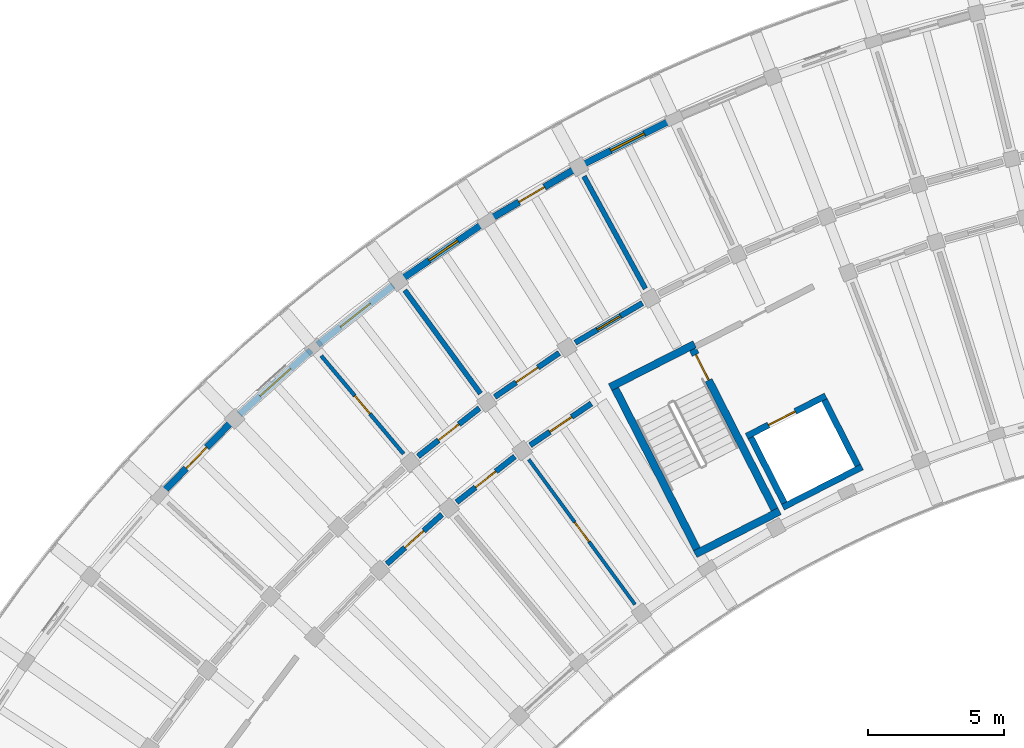
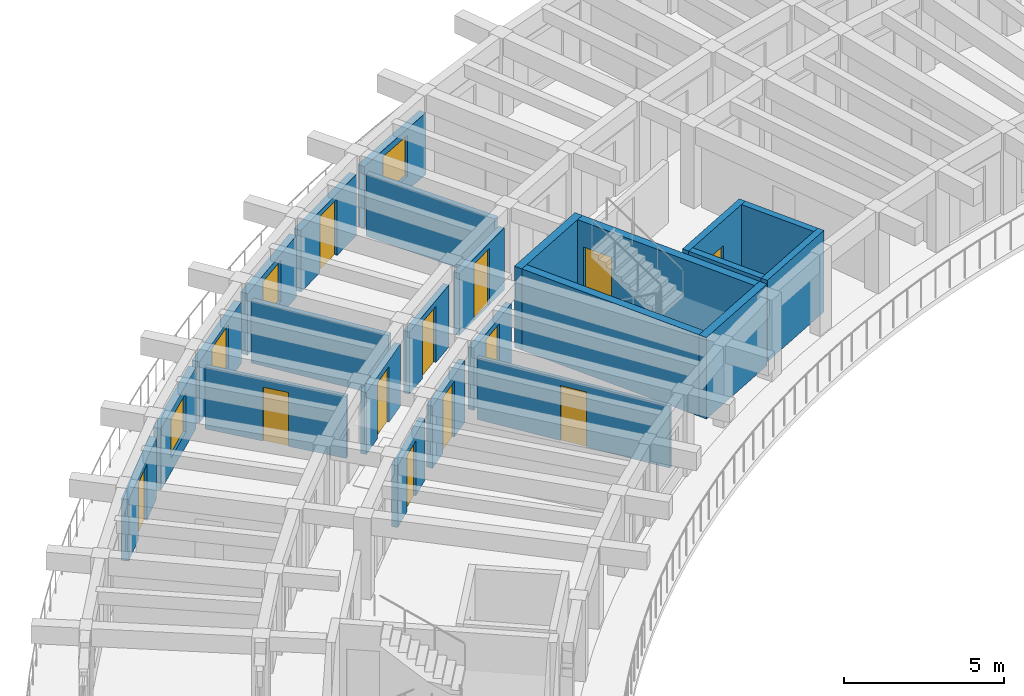
# One storey, part 48 of 81: 24 walls, 12 doors, 4 windows, 16 openings.
"""IFC4 building model written with IfcOpenShell, lengths in metres."""

from ifc_helpers import new_model, si_unit, direction, frame, frame_2d, origin, place, context, subcontext, project, spatial, rectangle, extrude, material, layer, layer_set, type_object, element, fill, save


model = new_model("IFC4")

# Units and contexts
model_context = context("Model", 3, precision=1e-05, world=origin(), true_north=direction((0.0, 1.0)))
body_context = subcontext(model_context, "Body", "Model", "MODEL_VIEW")
ifc_project = project(units=[si_unit("LENGTHUNIT", "METRE"), si_unit("AREAUNIT", "SQUARE_METRE"), si_unit("VOLUMEUNIT", "CUBIC_METRE"), si_unit("PLANEANGLEUNIT", "RADIAN"), si_unit("MASSUNIT", "GRAM", prefix="KILO")], contexts=[model_context])

# Site, building, storey
site_placement = place(None, origin())
site = spatial("IfcSite", under=ifc_project, at=site_placement, CompositionType="ELEMENT")
building_placement = place(site_placement, origin())
building = spatial("IfcBuilding", under=site, at=building_placement, Name="Tanwirah Colonnade Gardens", CompositionType="ELEMENT")
storey_placement = place(building_placement, frame((0.0, 0.0, 8.840087890625)))
storey = spatial("IfcBuildingStorey", under=building, at=storey_placement, Name="L02", CompositionType="ELEMENT", Elevation=8.840087890625)

# Wall, opening, window
ifc_material_1 = material(Name="Limestone architectural precast concrete C40/50", Category="masonry")
ifc_layer_1 = layer(ifc_material_1, 0.2451171875)
ifc_layer_set_1 = layer_set([ifc_layer_1], Name="Limestone architectural precast concrete C40/50")
wall_type_1 = type_object("IfcWallType", Name="EW-PC245", PredefinedType="SOLIDWALL", material=ifc_layer_set_1)
wall_1_placement = place(storey_placement, frame((39.794921875, 114.147216796875, 0.0), z_axis=(0.0, 0.0, 1.0), x_axis=(-0.892756700232, -0.450539092855, 0.0)))
wall_1 = element("IfcWall", 1, at=wall_1_placement, inside=storey, type_object=wall_type_1, Name="Block A L02 OUT Precast Facade Wall 5", PredefinedType="SOLIDWALL", context=body_context, shape_type="SweptSolid", body=[
    extrude(rectangle(XDim=3.520751953125, YDim=0.2451171875, at=frame_2d((1.76025390625, 0.0))), origin(), (0.0, 0.0, 1.0), 2.35498046875),
])
opening_1_placement = place(wall_1_placement, frame((1.0703125, 0.0, 0.550048828125)))
opening_1 = element("IfcOpeningElement", 2, at=opening_1_placement, cuts=wall_1, Name="Opening WIN-T18", PredefinedType="OPENING", context=body_context, shape_type="SweptSolid", body=[
    extrude(rectangle(XDim=1.3798828125, YDim=1.56005859375, at=frame_2d((0.68994140625, 0.780029296875))), frame((0.0, 0.132568359375, 0.0), z_axis=(0.0, -1.0, 0.0), x_axis=(1.0, 0.0, 0.0)), (0.0, 0.0, 1.0), 0.26513671875),
])
ifc_material_2 = material(Name="Thermally broken bronze aluminium and solar low-E double glazing", Category="aluminium")
window_type_1 = type_object("IfcWindowType", Name="WIN-T18", PartitioningType="DOUBLE_PANEL_VERTICAL", PredefinedType="WINDOW", material=ifc_material_2)
window_1_placement = place(opening_1_placement, origin())
window_1 = element("IfcWindow", 3, at=window_1_placement, inside=storey, type_object=window_type_1, Name="Facade window A-L02-OUT-05", OverallHeight=1.56005859375, OverallWidth=1.3798828125, PartitioningType="SINGLE_PANEL", PredefinedType="WINDOW", context=body_context, shape_type="SweptSolid", body=[
    extrude(rectangle(XDim=1.3798828125, YDim=1.56005859375, at=frame_2d((0.68994140625, 0.780029296875))), frame((0.0, 0.030029296875, 0.0), z_axis=(0.0, -1.0, 0.0), x_axis=(1.0, 0.0, 0.0)), (0.0, 0.0, 1.0), 0.06005859375),
])
fill(opening_1, window_1)

# Wall, opening, door
wall_2_placement = place(storey_placement, frame((36.22216796875, 112.326171875, 0.0), z_axis=(0.0, 0.0, 1.0), x_axis=(-0.861154218161, -0.50834379365, 0.0)))
wall_2 = element("IfcWall", 4, at=wall_2_placement, inside=storey, type_object=wall_type_1, Name="Block A L02 OUT Precast Facade Wall 6", PredefinedType="SOLIDWALL", context=body_context, shape_type="SweptSolid", body=[
    extrude(rectangle(XDim=3.520751953125, YDim=0.2451171875, at=frame_2d((1.76025390625, 0.0))), origin(), (0.0, 0.0, 1.0), 2.35498046875),
])
opening_2_placement = place(wall_2_placement, frame((1.22021484375, 0.0, 0.0)))
opening_2 = element("IfcOpeningElement", 5, at=opening_2_placement, cuts=wall_2, Name="Opening L02-ED010", PredefinedType="OPENING", context=body_context, shape_type="SweptSolid", body=[
    extrude(rectangle(XDim=1.080078125, YDim=2.14990234375, at=frame_2d((0.5400390625, 1.074951171875))), frame((0.0, 0.132568359375, 0.0), z_axis=(0.0, -1.0, 0.0), x_axis=(1.0, 0.0, 0.0)), (0.0, 0.0, 1.0), 0.26513671875),
])
ifc_material_3 = material(Name="Bronze aluminium glazed balcony door", Category="aluminium")
door_type_1 = type_object("IfcDoorType", Name="ED-BAL108", OperationType="NOTDEFINED", PredefinedType="DOOR", material=ifc_material_3)
door_1_placement = place(opening_2_placement, origin())
door_1 = element("IfcDoor", 6, at=door_1_placement, inside=storey, type_object=door_type_1, Name="Balcony glazed door L02-ED010", OperationType="SINGLE_SWING_LEFT", OverallHeight=2.14990234375, OverallWidth=1.080078125, PredefinedType="DOOR", context=body_context, shape_type="SweptSolid", body=[
    extrude(rectangle(XDim=1.080078125, YDim=2.14990234375, at=frame_2d((0.5400390625, 1.074951171875))), frame((0.0, 0.02490234375, 0.0), z_axis=(0.0, -1.0, 0.0), x_axis=(1.0, 0.0, 0.0)), (0.0, 0.0, 1.0), 0.050048828125),
])
fill(opening_2, door_1)

# Wall, opening, window
wall_3_placement = place(storey_placement, frame((32.92041015625, 110.36474609375, 0.0), z_axis=(0.0, 0.0, 1.0), x_axis=(-0.825745840472, -0.56404238045, 0.0)))
wall_3 = element("IfcWall", 7, at=wall_3_placement, inside=storey, type_object=wall_type_1, Name="Block A L02 OUT Precast Facade Wall 7", PredefinedType="SOLIDWALL", context=body_context, shape_type="SweptSolid", body=[
    extrude(rectangle(XDim=3.520751953125, YDim=0.2451171875, at=frame_2d((1.76025390625, 0.0))), origin(), (0.0, 0.0, 1.0), 2.35498046875),
])
opening_3_placement = place(wall_3_placement, frame((1.120361328125, 0.0, 0.550048828125)))
opening_3 = element("IfcOpeningElement", 8, at=opening_3_placement, cuts=wall_3, Name="Opening WIN-U04", PredefinedType="OPENING", context=body_context, shape_type="SweptSolid", body=[
    extrude(rectangle(XDim=1.280029296875, YDim=1.56005859375, at=frame_2d((0.64013671875, 0.780029296875))), frame((0.0, 0.132568359375, 0.0), z_axis=(0.0, -1.0, 0.0), x_axis=(1.0, 0.0, 0.0)), (0.0, 0.0, 1.0), 0.26513671875),
])
window_type_2 = type_object("IfcWindowType", Name="WIN-U04", PartitioningType="DOUBLE_PANEL_VERTICAL", PredefinedType="WINDOW", material=ifc_material_2)
window_2_placement = place(opening_3_placement, origin())
window_2 = element("IfcWindow", 9, at=window_2_placement, inside=storey, type_object=window_type_2, Name="Facade window A-L02-OUT-07", OverallHeight=1.56005859375, OverallWidth=1.280029296875, PartitioningType="SINGLE_PANEL", PredefinedType="WINDOW", context=body_context, shape_type="SweptSolid", body=[
    extrude(rectangle(XDim=1.280029296875, YDim=1.56005859375, at=frame_2d((0.64013671875, 0.780029296875))), frame((0.0, 0.030029296875, 0.0), z_axis=(0.0, -1.0, 0.0), x_axis=(1.0, 0.0, 0.0)), (0.0, 0.0, 1.0), 0.06005859375),
])
fill(opening_3, window_2)

wall_4_placement = place(storey_placement, frame((29.617919921875, 108.089599609375, 0.0), z_axis=(0.0, 0.0, 1.0), x_axis=(-0.786813798172, -0.617190446301, 0.0)))
wall_4 = element("IfcWall", 10, at=wall_4_placement, inside=storey, type_object=wall_type_1, Name="Block A L02 OUT Precast Facade Wall 8", PredefinedType="SOLIDWALL", context=body_context, shape_type="SweptSolid", body=[
    extrude(rectangle(XDim=3.5205078125, YDim=0.2451171875, at=frame_2d((1.76025390625, 0.0))), origin(), (0.0, 0.0, 1.0), 2.35498046875),
])
opening_4_placement = place(wall_4_placement, frame((1.060302734375, 0.0, 0.550048828125)))
opening_4 = element("IfcOpeningElement", 11, at=opening_4_placement, cuts=wall_4, Name="Opening WIN-U07", PredefinedType="OPENING", context=body_context, shape_type="SweptSolid", body=[
    extrude(rectangle(XDim=1.39990234375, YDim=1.635009765625, at=frame_2d((0.699951171875, 0.8173828125))), frame((0.0, 0.132568359375, 0.0), z_axis=(0.0, -1.0, 0.0), x_axis=(1.0, 0.0, 0.0)), (0.0, 0.0, 1.0), 0.26513671875),
])
window_type_3 = type_object("IfcWindowType", Name="WIN-U07", PartitioningType="DOUBLE_PANEL_VERTICAL", PredefinedType="WINDOW", material=ifc_material_2)
window_3_placement = place(opening_4_placement, origin())
window_3 = element("IfcWindow", 12, at=window_3_placement, inside=storey, type_object=window_type_3, Name="Facade window A-L02-OUT-08", OverallHeight=1.635009765625, OverallWidth=1.39990234375, PartitioningType="SINGLE_PANEL", PredefinedType="WINDOW", context=body_context, shape_type="SweptSolid", body=[
    extrude(rectangle(XDim=1.39990234375, YDim=1.635009765625, at=frame_2d((0.699951171875, 0.8173828125))), frame((0.0, 0.030029296875, 0.0), z_axis=(0.0, -1.0, 0.0), x_axis=(1.0, 0.0, 0.0)), (0.0, 0.0, 1.0), 0.06005859375),
])
fill(opening_4, window_3)

wall_5_placement = place(storey_placement, frame((26.602783203125, 105.711181640625, 0.0), z_axis=(0.0, 0.0, 1.0), x_axis=(-0.744413726571, -0.667718656092, 0.0)))
wall_5 = element("IfcWall", 13, at=wall_5_placement, inside=storey, type_object=wall_type_1, Name="Block A L02 OUT Precast Facade Wall 9", PredefinedType="SOLIDWALL", context=body_context, shape_type="SweptSolid", body=[
    extrude(rectangle(XDim=3.520751953125, YDim=0.2451171875, at=frame_2d((1.76025390625, 0.0))), origin(), (0.0, 0.0, 1.0), 2.35498046875),
])
opening_5_placement = place(wall_5_placement, frame((1.000244140625, 0.0, 0.550048828125)))
opening_5 = element("IfcOpeningElement", 14, at=opening_5_placement, cuts=wall_5, Name="Opening WIN-U10", PredefinedType="OPENING", context=body_context, shape_type="SweptSolid", body=[
    extrude(rectangle(XDim=1.52001953125, YDim=1.485107421875, at=frame_2d((0.760009765625, 0.74267578125))), frame((0.0, 0.132568359375, 0.0), z_axis=(0.0, -1.0, 0.0), x_axis=(1.0, 0.0, 0.0)), (0.0, 0.0, 1.0), 0.26513671875),
])
window_type_4 = type_object("IfcWindowType", Name="WIN-U10", PartitioningType="DOUBLE_PANEL_VERTICAL", PredefinedType="WINDOW", material=ifc_material_2)
window_4_placement = place(opening_5_placement, origin())
window_4 = element("IfcWindow", 15, at=window_4_placement, inside=storey, type_object=window_type_4, Name="Facade window A-L02-OUT-09", OverallHeight=1.485107421875, OverallWidth=1.52001953125, PartitioningType="SINGLE_PANEL", PredefinedType="WINDOW", context=body_context, shape_type="SweptSolid", body=[
    extrude(rectangle(XDim=1.52001953125, YDim=1.485107421875, at=frame_2d((0.760009765625, 0.74267578125))), frame((0.0, 0.030029296875, 0.0), z_axis=(0.0, -1.0, 0.0), x_axis=(1.0, 0.0, 0.0)), (0.0, 0.0, 1.0), 0.06005859375),
])
fill(opening_5, window_4)

# Wall, opening, door
wall_6_placement = place(storey_placement, frame((23.62841796875, 103.021484375, 0.0), z_axis=(0.0, 0.0, 1.0), x_axis=(-0.698841852324, -0.715276216186, 0.0)))
wall_6 = element("IfcWall", 16, at=wall_6_placement, inside=storey, type_object=wall_type_1, Name="Block A L02 OUT Precast Facade Wall 10", PredefinedType="SOLIDWALL", context=body_context, shape_type="SweptSolid", body=[
    extrude(rectangle(XDim=3.520751953125, YDim=0.2451171875, at=frame_2d((1.76025390625, 0.0))), origin(), (0.0, 0.0, 1.0), 2.35498046875),
])
opening_6_placement = place(wall_6_placement, frame((1.22021484375, 0.0, 0.0)))
opening_6 = element("IfcOpeningElement", 17, at=opening_6_placement, cuts=wall_6, Name="Opening L02-ED011", PredefinedType="OPENING", context=body_context, shape_type="SweptSolid", body=[
    extrude(rectangle(XDim=1.080078125, YDim=2.14990234375, at=frame_2d((0.5400390625, 1.074951171875))), frame((0.0, 0.132568359375, 0.0), z_axis=(0.0, -1.0, 0.0), x_axis=(1.0, 0.0, 0.0)), (0.0, 0.0, 1.0), 0.26513671875),
])
door_2_placement = place(opening_6_placement, origin())
door_2 = element("IfcDoor", 18, at=door_2_placement, inside=storey, type_object=door_type_1, Name="Balcony glazed door L02-ED011", OperationType="SINGLE_SWING_LEFT", OverallHeight=2.14990234375, OverallWidth=1.080078125, PredefinedType="DOOR", context=body_context, shape_type="SweptSolid", body=[
    extrude(rectangle(XDim=1.080078125, YDim=2.14990234375, at=frame_2d((0.5400390625, 1.074951171875))), frame((0.0, 0.02490234375, 0.0), z_axis=(0.0, -1.0, 0.0), x_axis=(1.0, 0.0, 0.0)), (0.0, 0.0, 1.0), 0.050048828125),
])
fill(opening_6, door_2)

ifc_material_4 = material(Name="Precast concrete C40/50", Category="concrete")
ifc_layer_2 = layer(ifc_material_4, 0.205078125)
ifc_layer_set_2 = layer_set([ifc_layer_2], Name="Precast concrete C40/50")
wall_type_2 = type_object("IfcWallType", Name="IW-CORR205", PredefinedType="PARTITIONING", material=ifc_layer_set_2)
wall_7_placement = place(storey_placement, frame((38.77001953125, 107.447021484375, 0.0), z_axis=(0.0, 0.0, 1.0), x_axis=(-0.861113214678, -0.508413248753, 0.0)))
wall_7 = element("IfcWall", 19, at=wall_7_placement, inside=storey, type_object=wall_type_2, Name="Block A L02 OUT Corridor Wall 6", PredefinedType="PARTITIONING", context=body_context, shape_type="SweptSolid", body=[
    extrude(rectangle(XDim=2.863037109375, YDim=0.205078125, at=frame_2d((1.431640625, 0.0))), origin(), (0.0, 0.0, 1.0), 2.369873046875),
])
opening_7_placement = place(wall_7_placement, frame((0.9365234375, 0.0, 0.0)))
opening_7 = element("IfcOpeningElement", 20, at=opening_7_placement, cuts=wall_7, Name="Opening L02-AD319", PredefinedType="OPENING", context=body_context, shape_type="SweptSolid", body=[
    extrude(rectangle(XDim=0.989990234375, YDim=2.159912109375, at=frame_2d((0.4951171875, 1.080078125))), frame((0.0, 0.112548828125, 0.0), z_axis=(0.0, -1.0, 0.0), x_axis=(1.0, 0.0, 0.0)), (0.0, 0.0, 1.0), 0.22509765625),
])
ifc_material_5 = material(Name="Solid oak fire-resisting apartment entrance door")
door_type_2 = type_object("IfcDoorType", Name="ID-FLT099", OperationType="NOTDEFINED", PredefinedType="DOOR", material=ifc_material_5)
door_3_placement = place(opening_7_placement, origin())
door_3 = element("IfcDoor", 21, at=door_3_placement, inside=storey, type_object=door_type_2, Name="Apartment corridor door L02-AD319", OperationType="SINGLE_SWING_LEFT", OverallHeight=2.159912109375, OverallWidth=0.989990234375, PredefinedType="DOOR", context=body_context, shape_type="SweptSolid", body=[
    extrude(rectangle(XDim=0.989990234375, YDim=2.159912109375, at=frame_2d((0.4951171875, 1.080078125))), frame((0.0, 0.02490234375, 0.0), z_axis=(0.0, -1.0, 0.0), x_axis=(1.0, 0.0, 0.0)), (0.0, 0.0, 1.0), 0.050048828125),
])
fill(opening_7, door_3)

wall_8_placement = place(storey_placement, frame((35.714111328125, 105.615966796875, 0.0), z_axis=(0.0, 0.0, 1.0), x_axis=(-0.825779671787, -0.563992848947, 0.0)))
wall_8 = element("IfcWall", 22, at=wall_8_placement, inside=storey, type_object=wall_type_2, Name="Block A L02 OUT Corridor Wall 7", PredefinedType="PARTITIONING", context=body_context, shape_type="SweptSolid", body=[
    extrude(rectangle(XDim=2.863037109375, YDim=0.205078125, at=frame_2d((1.431640625, 0.0))), origin(), (0.0, 0.0, 1.0), 2.369873046875),
])
opening_8_placement = place(wall_8_placement, frame((0.946533203125, 0.0, 0.0)))
opening_8 = element("IfcOpeningElement", 23, at=opening_8_placement, cuts=wall_8, Name="Opening L02-AD320", PredefinedType="OPENING", context=body_context, shape_type="SweptSolid", body=[
    extrude(rectangle(XDim=0.969970703125, YDim=2.14990234375, at=frame_2d((0.48486328125, 1.074951171875))), frame((0.0, 0.112548828125, 0.0), z_axis=(0.0, -1.0, 0.0), x_axis=(1.0, 0.0, 0.0)), (0.0, 0.0, 1.0), 0.22509765625),
])
door_type_3 = type_object("IfcDoorType", Name="ID-FLT097", OperationType="NOTDEFINED", PredefinedType="DOOR", material=ifc_material_5)
door_4_placement = place(opening_8_placement, origin())
door_4 = element("IfcDoor", 24, at=door_4_placement, inside=storey, type_object=door_type_3, Name="Apartment corridor door L02-AD320", OperationType="SINGLE_SWING_RIGHT", OverallHeight=2.14990234375, OverallWidth=0.969970703125, PredefinedType="DOOR", context=body_context, shape_type="SweptSolid", body=[
    extrude(rectangle(XDim=0.969970703125, YDim=2.14990234375, at=frame_2d((0.48486328125, 1.074951171875))), frame((0.0, 0.02490234375, 0.0), z_axis=(0.0, -1.0, 0.0), x_axis=(1.0, 0.0, 0.0)), (0.0, 0.0, 1.0), 0.050048828125),
])
fill(opening_8, door_4)

wall_9_placement = place(storey_placement, frame((36.89453125, 103.759521484375, 0.0), z_axis=(0.0, 0.0, 1.0), x_axis=(-0.825752009056, -0.56403334967, 0.0)))
wall_9 = element("IfcWall", 25, at=wall_9_placement, inside=storey, type_object=wall_type_2, Name="Block A L02 IN Corridor Wall 7", PredefinedType="PARTITIONING", context=body_context, shape_type="SweptSolid", body=[
    extrude(rectangle(XDim=2.71826171875, YDim=0.205078125, at=frame_2d((1.359130859375, 0.0))), origin(), (0.0, 0.0, 1.0), 2.369873046875),
])
opening_9_placement = place(wall_9_placement, frame((0.8740234375, 0.0, 0.0)))
opening_9 = element("IfcOpeningElement", 26, at=opening_9_placement, cuts=wall_9, Name="Opening L02-AD321", PredefinedType="OPENING", context=body_context, shape_type="SweptSolid", body=[
    extrude(rectangle(XDim=0.969970703125, YDim=2.14990234375, at=frame_2d((0.48486328125, 1.074951171875))), frame((0.0, 0.112548828125, 0.0), z_axis=(0.0, -1.0, 0.0), x_axis=(1.0, 0.0, 0.0)), (0.0, 0.0, 1.0), 0.22509765625),
])
door_5_placement = place(opening_9_placement, origin())
door_5 = element("IfcDoor", 27, at=door_5_placement, inside=storey, type_object=door_type_3, Name="Apartment corridor door L02-AD321", OperationType="SINGLE_SWING_LEFT", OverallHeight=2.14990234375, OverallWidth=0.969970703125, PredefinedType="DOOR", context=body_context, shape_type="SweptSolid", body=[
    extrude(rectangle(XDim=0.969970703125, YDim=2.14990234375, at=frame_2d((0.48486328125, 1.074951171875))), frame((0.0, 0.02490234375, 0.0), z_axis=(0.0, -1.0, 0.0), x_axis=(1.0, 0.0, 0.0)), (0.0, 0.0, 1.0), 0.050048828125),
])
fill(opening_9, door_5)

wall_10_placement = place(storey_placement, frame((32.785400390625, 103.587890625, 0.0), z_axis=(0.0, 0.0, 1.0), x_axis=(-0.786806323554, -0.617199975061, 0.0)))
wall_10 = element("IfcWall", 28, at=wall_10_placement, inside=storey, type_object=wall_type_2, Name="Block A L02 OUT Corridor Wall 8", PredefinedType="PARTITIONING", context=body_context, shape_type="SweptSolid", body=[
    extrude(rectangle(XDim=2.863037109375, YDim=0.205078125, at=frame_2d((1.431640625, 0.0))), origin(), (0.0, 0.0, 1.0), 2.369873046875),
])
opening_10_placement = place(wall_10_placement, frame((0.95654296875, 0.0, 0.0)))
opening_10 = element("IfcOpeningElement", 29, at=opening_10_placement, cuts=wall_10, Name="Opening L02-AD323", PredefinedType="OPENING", context=body_context, shape_type="SweptSolid", body=[
    extrude(rectangle(XDim=0.949951171875, YDim=2.1298828125, at=frame_2d((0.47509765625, 1.06494140625))), frame((0.0, 0.112548828125, 0.0), z_axis=(0.0, -1.0, 0.0), x_axis=(1.0, 0.0, 0.0)), (0.0, 0.0, 1.0), 0.22509765625),
])
door_type_4 = type_object("IfcDoorType", Name="ID-FLT095", OperationType="NOTDEFINED", PredefinedType="DOOR", material=ifc_material_5)
door_6_placement = place(opening_10_placement, origin())
door_6 = element("IfcDoor", 30, at=door_6_placement, inside=storey, type_object=door_type_4, Name="Apartment corridor door L02-AD323", OperationType="SINGLE_SWING_LEFT", OverallHeight=2.1298828125, OverallWidth=0.949951171875, PredefinedType="DOOR", context=body_context, shape_type="SweptSolid", body=[
    extrude(rectangle(XDim=0.949951171875, YDim=2.1298828125, at=frame_2d((0.47509765625, 1.06494140625))), frame((0.0, 0.02490234375, 0.0), z_axis=(0.0, -1.0, 0.0), x_axis=(1.0, 0.0, 0.0)), (0.0, 0.0, 1.0), 0.050048828125),
])
fill(opening_10, door_6)

wall_11_placement = place(storey_placement, frame((34.08544921875, 101.81298828125, 0.0), z_axis=(0.0, 0.0, 1.0), x_axis=(-0.786835457019, -0.617162833924, 0.0)))
wall_11 = element("IfcWall", 31, at=wall_11_placement, inside=storey, type_object=wall_type_2, Name="Block A L02 IN Corridor Wall 8", PredefinedType="PARTITIONING", context=body_context, shape_type="SweptSolid", body=[
    extrude(rectangle(XDim=2.718017578125, YDim=0.205078125, at=frame_2d((1.35888671875, 0.0))), origin(), (0.0, 0.0, 1.0), 2.369873046875),
])
opening_11_placement = place(wall_11_placement, frame((0.884033203125, 0.0, 0.0)))
opening_11 = element("IfcOpeningElement", 32, at=opening_11_placement, cuts=wall_11, Name="Opening L02-AD324", PredefinedType="OPENING", context=body_context, shape_type="SweptSolid", body=[
    extrude(rectangle(XDim=0.949951171875, YDim=2.1298828125, at=frame_2d((0.47509765625, 1.06494140625))), frame((0.0, 0.112548828125, 0.0), z_axis=(0.0, -1.0, 0.0), x_axis=(1.0, 0.0, 0.0)), (0.0, 0.0, 1.0), 0.22509765625),
])
door_7_placement = place(opening_11_placement, origin())
door_7 = element("IfcDoor", 33, at=door_7_placement, inside=storey, type_object=door_type_4, Name="Apartment corridor door L02-AD324", OperationType="SINGLE_SWING_RIGHT", OverallHeight=2.1298828125, OverallWidth=0.949951171875, PredefinedType="DOOR", context=body_context, shape_type="SweptSolid", body=[
    extrude(rectangle(XDim=0.949951171875, YDim=2.1298828125, at=frame_2d((0.47509765625, 1.06494140625))), frame((0.0, 0.02490234375, 0.0), z_axis=(0.0, -1.0, 0.0), x_axis=(1.0, 0.0, 0.0)), (0.0, 0.0, 1.0), 0.050048828125),
])
fill(opening_11, door_7)

wall_12_placement = place(storey_placement, frame((31.410888671875, 99.685791015625, 0.0), z_axis=(0.0, 0.0, 1.0), x_axis=(-0.744418559135, -0.667713268413, 0.0)))
wall_12 = element("IfcWall", 34, at=wall_12_placement, inside=storey, type_object=wall_type_2, Name="Block A L02 IN Corridor Wall 9", PredefinedType="PARTITIONING", context=body_context, shape_type="SweptSolid", body=[
    extrude(rectangle(XDim=2.71826171875, YDim=0.205078125, at=frame_2d((1.359130859375, 0.0))), origin(), (0.0, 0.0, 1.0), 2.369873046875),
])
opening_12_placement = place(wall_12_placement, frame((0.89404296875, 0.0, 0.0)))
opening_12 = element("IfcOpeningElement", 35, at=opening_12_placement, cuts=wall_12, Name="Opening L02-AD327", PredefinedType="OPENING", context=body_context, shape_type="SweptSolid", body=[
    extrude(rectangle(XDim=0.929931640625, YDim=2.1201171875, at=frame_2d((0.46484375, 1.06005859375))), frame((0.0, 0.112548828125, 0.0), z_axis=(0.0, -1.0, 0.0), x_axis=(1.0, 0.0, 0.0)), (0.0, 0.0, 1.0), 0.22509765625),
])
door_type_5 = type_object("IfcDoorType", Name="ID-FLT093", OperationType="NOTDEFINED", PredefinedType="DOOR", material=ifc_material_5)
door_8_placement = place(opening_12_placement, origin())
door_8 = element("IfcDoor", 36, at=door_8_placement, inside=storey, type_object=door_type_5, Name="Apartment corridor door L02-AD327", OperationType="SINGLE_SWING_LEFT", OverallHeight=2.1201171875, OverallWidth=0.929931640625, PredefinedType="DOOR", context=body_context, shape_type="SweptSolid", body=[
    extrude(rectangle(XDim=0.929931640625, YDim=2.1201171875, at=frame_2d((0.46484375, 1.06005859375))), frame((0.0, 0.02490234375, 0.0), z_axis=(0.0, -1.0, 0.0), x_axis=(1.0, 0.0, 0.0)), (0.0, 0.0, 1.0), 0.050048828125),
])
fill(opening_12, door_8)

# Walls
ifc_layer_3 = layer(ifc_material_4, 0.18505859375)
ifc_layer_set_3 = layer_set([ifc_layer_3], Name="Precast concrete C40/50")
wall_type_3 = type_object("IfcWallType", Name="IW-DEM185", PredefinedType="PARTITIONING", material=ifc_layer_set_3)
wall_13_placement = place(storey_placement, frame((38.879638671875, 107.975830078125, 0.0), z_axis=(0.0, 0.0, 1.0), x_axis=(-0.479721743761, 0.877420679357, 0.0)))
element("IfcWall", 37, at=wall_13_placement, inside=storey, type_object=wall_type_3, Name="Block A L02 Radial Partition 5", PredefinedType="PARTITIONING", context=body_context, shape_type="SweptSolid", body=[
    extrude(rectangle(XDim=4.699951171875, YDim=0.18505859375, at=frame_2d((2.35009765625, 0.0))), origin(), (0.0, 0.0, 1.0), 2.369873046875),
])
wall_14_placement = place(storey_placement, frame((32.824462890625, 104.12646484375, 0.0), z_axis=(0.0, 0.0, 1.0), x_axis=(-0.590910940129, 0.806736797745, 0.0)))
element("IfcWall", 38, at=wall_14_placement, inside=storey, type_object=wall_type_3, Name="Block A L02 Radial Partition 7", PredefinedType="PARTITIONING", context=body_context, shape_type="SweptSolid", body=[
    extrude(rectangle(XDim=4.7001953125, YDim=0.18505859375, at=frame_2d((2.35009765625, 0.0))), origin(), (0.0, 0.0, 1.0), 2.369873046875),
])

# Wall, opening, door
ifc_material_6 = material(Name="Moisture-resistant gypsum stud partition")
ifc_layer_4 = layer(ifc_material_6, 0.125)
ifc_layer_set_4 = layer_set([ifc_layer_4], Name="Moisture-resistant gypsum stud partition")
wall_type_4 = type_object("IfcWallType", Name="IW-INT125", PredefinedType="PARTITIONING", material=ifc_layer_set_4)
wall_15_placement = place(storey_placement, frame((38.497314453125, 96.3818359375, 0.0), z_axis=(0.0, 0.0, 1.0), x_axis=(-0.590924179316, 0.806727100263, 0.0)))
wall_15 = element("IfcWall", 39, at=wall_15_placement, inside=storey, type_object=wall_type_4, Name="Block A L02 Inner Radial Partition 7", PredefinedType="PARTITIONING", context=body_context, shape_type="SweptSolid", body=[
    extrude(rectangle(XDim=6.60009765625, YDim=0.125, at=frame_2d((3.300048828125, 0.0))), origin(), (0.0, 0.0, 1.0), 2.369873046875),
])
opening_13_placement = place(wall_15_placement, frame((2.85498046875, 0.0, 0.0)))
opening_13 = element("IfcOpeningElement", 40, at=opening_13_placement, cuts=wall_15, Name="Opening L02-RD322", PredefinedType="OPENING", context=body_context, shape_type="SweptSolid", body=[
    extrude(rectangle(XDim=0.889892578125, YDim=2.10009765625, at=frame_2d((0.44482421875, 1.050048828125))), frame((0.0, 0.072509765625, 0.0), z_axis=(0.0, -1.0, 0.0), x_axis=(1.0, 0.0, 0.0)), (0.0, 0.0, 1.0), 0.14501953125),
])
ifc_material_7 = material(Name="Painted hardwood bedroom door", Category="wood")
door_type_6 = type_object("IfcDoorType", Name="ID-RM089", OperationType="NOTDEFINED", PredefinedType="DOOR", material=ifc_material_7)
door_9_placement = place(opening_13_placement, origin())
door_9 = element("IfcDoor", 41, at=door_9_placement, inside=storey, type_object=door_type_6, Name="Internal apartment door L02-RD322", OperationType="SINGLE_SWING_LEFT", OverallHeight=2.10009765625, OverallWidth=0.889892578125, PredefinedType="DOOR", context=body_context, shape_type="SweptSolid", body=[
    extrude(rectangle(XDim=0.889892578125, YDim=2.10009765625, at=frame_2d((0.44482421875, 1.050048828125))), frame((0.0, 0.02490234375, 0.0), z_axis=(0.0, -1.0, 0.0), x_axis=(1.0, 0.0, 0.0)), (0.0, 0.0, 1.0), 0.050048828125),
])
fill(opening_13, door_9)

ifc_material_8 = material(Name="Water-resistant acoustic plumbing partition")
ifc_layer_5 = layer(ifc_material_8, 0.139892578125)
ifc_layer_set_5 = layer_set([ifc_layer_5], Name="Water-resistant acoustic plumbing partition")
wall_type_5 = type_object("IfcWallType", Name="IW-WET140", PredefinedType="PLUMBINGWALL", material=ifc_layer_set_5)
wall_16_placement = place(storey_placement, frame((30.000244140625, 101.9111328125, 0.0), z_axis=(0.0, 0.0, 1.0), x_axis=(-0.642811926223, 0.766024038465, 0.0)))
wall_16 = element("IfcWall", 42, at=wall_16_placement, inside=storey, type_object=wall_type_5, Name="Block A L02 Radial Partition 8", PredefinedType="PLUMBINGWALL", context=body_context, shape_type="SweptSolid", body=[
    extrude(rectangle(XDim=4.699951171875, YDim=0.139892578125, at=frame_2d((2.35009765625, 0.0))), origin(), (0.0, 0.0, 1.0), 2.369873046875),
])
opening_14_placement = place(wall_16_placement, frame((1.919921875, 0.0, 0.0)))
opening_14 = element("IfcOpeningElement", 43, at=opening_14_placement, cuts=wall_16, Name="Opening L02-RD325", PredefinedType="OPENING", context=body_context, shape_type="SweptSolid", body=[
    extrude(rectangle(XDim=0.860107421875, YDim=2.06005859375, at=frame_2d((0.43017578125, 1.030029296875))), frame((0.0, 0.079833984375, 0.0), z_axis=(0.0, -1.0, 0.0), x_axis=(1.0, 0.0, 0.0)), (0.0, 0.0, 1.0), 0.159912109375),
])
ifc_material_9 = material(Name="Moisture-resistant bathroom door")
door_type_7 = type_object("IfcDoorType", Name="ID-WET086", OperationType="NOTDEFINED", PredefinedType="DOOR", material=ifc_material_9)
door_10_placement = place(opening_14_placement, origin())
door_10 = element("IfcDoor", 44, at=door_10_placement, inside=storey, type_object=door_type_7, Name="Internal apartment door L02-RD325", OperationType="SINGLE_SWING_LEFT", OverallHeight=2.06005859375, OverallWidth=0.860107421875, PredefinedType="DOOR", context=body_context, shape_type="SweptSolid", body=[
    extrude(rectangle(XDim=0.860107421875, YDim=2.06005859375, at=frame_2d((0.43017578125, 1.030029296875))), frame((0.0, 0.02490234375, 0.0), z_axis=(0.0, -1.0, 0.0), x_axis=(1.0, 0.0, 0.0)), (0.0, 0.0, 1.0), 0.050048828125),
])
fill(opening_14, door_10)

# Walls
ifc_material_10 = material(Name="Concrete C45/55", Category="concrete")
ifc_layer_6 = layer(ifc_material_10, 0.280029296875)
ifc_layer_set_6 = layer_set([ifc_layer_6], Name="Concrete C45/55")
wall_type_6 = type_object("IfcWallType", Name="SW-CORE280", PredefinedType="SHEAR", material=ifc_layer_set_6)
wall_17_placement = place(storey_placement, frame((37.7734375, 104.295654296875, 0.0), z_axis=(0.0, 0.0, 1.0), x_axis=(0.453992276384, -0.891005618941, 0.0)))
element("IfcWall", 45, at=wall_17_placement, inside=storey, type_object=wall_type_6, Name="CORE-A1 L02 Stair Shaft Shear Wall LEFT", PredefinedType="SHEAR", context=body_context, shape_type="SweptSolid", body=[
    extrude(rectangle(XDim=6.599853515625, YDim=0.280029296875, at=frame_2d((3.2998046875, 0.0))), origin(), (0.0, 0.0, 1.0), 3.10986328125),
])
for number, where, z_axis, x_axis, name in (
    (46, (40.708740234375, 98.2265625, 0.0), (0.0, 0.0, 1.0), (0.891005763861, 0.453991991964, 0.0), "CORE-A1 L02 Stair Shaft Shear Wall FAR"),
    (47, (37.585205078125, 104.356689453125, 0.0), (0.0, 0.0, 1.0), (0.891020222667, 0.453963613958, 0.0), "CORE-A1 L02 Stair Shaft Shear Wall NEAR"),
):
    element("IfcWall", number, at=place(storey_placement, frame(where, z_axis=z_axis, x_axis=x_axis)), inside=storey, type_object=wall_type_6, Name=name, PredefinedType="SHEAR", context=body_context, shape_type="SweptSolid", body=[
        extrude(rectangle(XDim=3.47998046875, YDim=0.280029296875, at=frame_2d((1.739990234375, 0.0))), origin(), (0.0, 0.0, 1.0), 3.10986328125),
    ])

# Wall, opening, door
wall_18_placement = place(storey_placement, frame((40.624755859375, 105.748291015625, 0.0), z_axis=(0.0, 0.0, 1.0), x_axis=(0.453992276384, -0.891005618941, 0.0)))
wall_18 = element("IfcWall", 48, at=wall_18_placement, inside=storey, type_object=wall_type_6, Name="CORE-A1 L02 Stair Shaft Shear Wall RIGHT", PredefinedType="SHEAR", context=body_context, shape_type="SweptSolid", body=[
    extrude(rectangle(XDim=6.599853515625, YDim=0.280029296875, at=frame_2d((3.2998046875, 0.0))), origin(), (0.0, 0.0, 1.0), 3.10986328125),
])
opening_15_placement = place(wall_18_placement, frame((0.219970703125, 0.0, 0.0)))
opening_15 = element("IfcOpeningElement", 49, at=opening_15_placement, cuts=wall_18, Name="Opening L02-SD004", PredefinedType="OPENING", context=body_context, shape_type="SweptSolid", body=[
    extrude(rectangle(XDim=1.050048828125, YDim=2.14990234375, at=frame_2d((0.52490234375, 1.074951171875))), frame((0.0, 0.14990234375, 0.0), z_axis=(0.0, -1.0, 0.0), x_axis=(1.0, 0.0, 0.0)), (0.0, 0.0, 1.0), 0.300048828125),
])
ifc_material_11 = material(Name="Steel fire-resisting stair enclosure door", Category="steel")
door_type_8 = type_object("IfcDoorType", Name="ID-ST105", OperationType="NOTDEFINED", PredefinedType="DOOR", material=ifc_material_11)
door_11_placement = place(opening_15_placement, origin())
door_11 = element("IfcDoor", 50, at=door_11_placement, inside=storey, type_object=door_type_8, Name="CORE-A1 L02 Stair Fire Door L02-SD004", OperationType="SINGLE_SWING_LEFT", OverallHeight=2.14990234375, OverallWidth=1.050048828125, PredefinedType="DOOR", context=body_context, shape_type="SweptSolid", body=[
    extrude(rectangle(XDim=1.050048828125, YDim=2.14990234375, at=frame_2d((0.52490234375, 1.074951171875))), frame((0.0, 0.02490234375, 0.0), z_axis=(0.0, -1.0, 0.0), x_axis=(1.0, 0.0, 0.0)), (0.0, 0.0, 1.0), 0.050048828125),
])
fill(opening_15, door_11)

ifc_layer_7 = layer(ifc_material_10, 0.22998046875)
ifc_layer_set_7 = layer_set([ifc_layer_7], Name="Concrete C45/55")
wall_type_7 = type_object("IfcWallType", Name="SW-LIFT230", PredefinedType="SHEAR", material=ifc_layer_set_7)
wall_19_placement = place(storey_placement, frame((42.5966796875, 102.561279296875, 0.0), z_axis=(0.0, 0.0, 1.0), x_axis=(0.891001200497, 0.454000947921, 0.0)))
wall_19 = element("IfcWall", 51, at=wall_19_placement, inside=storey, type_object=wall_type_7, Name="CORE-A1 L02 Lift Shaft Wall FRONT", PredefinedType="SHEAR", context=body_context, shape_type="SweptSolid", body=[
    extrude(rectangle(XDim=3.259765625, YDim=0.22998046875, at=frame_2d((1.6298828125, 0.0))), origin(), (0.0, 0.0, 1.0), 3.10986328125),
])
opening_16_placement = place(wall_19_placement, frame((0.89990234375, 0.0, 0.0)))
opening_16 = element("IfcOpeningElement", 52, at=opening_16_placement, cuts=wall_19, Name="Opening L02-LD-FL-A1", PredefinedType="OPENING", context=body_context, shape_type="SweptSolid", body=[
    extrude(rectangle(XDim=1.10009765625, YDim=2.14990234375, at=frame_2d((0.550048828125, 1.074951171875))), frame((0.0, 0.125, 0.0), z_axis=(0.0, -1.0, 0.0), x_axis=(1.0, 0.0, 0.0)), (0.0, 0.0, 1.0), 0.25),
])
ifc_material_12 = material(Name="Stainless steel sliding fire lift landing door", Category="steel")
door_type_9 = type_object("IfcDoorType", Name="LD-FF11", OperationType="DOUBLE_DOOR_SLIDING", PredefinedType="DOOR", material=ifc_material_12)
door_12_placement = place(opening_16_placement, origin())
door_12 = element("IfcDoor", 53, at=door_12_placement, inside=storey, type_object=door_type_9, Name="Lift FL-A1 L02 Sliding Landing Door", OperationType="DOUBLE_DOOR_SLIDING", OverallHeight=2.14990234375, OverallWidth=1.10009765625, PredefinedType="DOOR", context=body_context, shape_type="SweptSolid", body=[
    extrude(rectangle(XDim=1.10009765625, YDim=2.14990234375, at=frame_2d((0.550048828125, 1.074951171875))), frame((0.0, 0.02490234375, 0.0), z_axis=(0.0, -1.0, 0.0), x_axis=(1.0, 0.0, 0.0)), (0.0, 0.0, 1.0), 0.050048828125),
])
fill(opening_16, door_12)

# Walls
wall_20_placement = place(storey_placement, frame((43.9267578125, 99.950439453125, 0.0), z_axis=(0.0, 0.0, 1.0), x_axis=(0.891016635648, 0.453970654337, 0.0)))
element("IfcWall", 54, at=wall_20_placement, inside=storey, type_object=wall_type_7, Name="CORE-A1 L02 Lift Shaft Wall BACK", PredefinedType="SHEAR", context=body_context, shape_type="SweptSolid", body=[
    extrude(rectangle(XDim=3.260009765625, YDim=0.22998046875, at=frame_2d((1.6298828125, 0.0))), origin(), (0.0, 0.0, 1.0), 3.10986328125),
])
for number, where, z_axis, x_axis, name in (
    (55, (42.751220703125, 102.510986328125, 0.0), (0.0, 0.0, 1.0), (0.454000278178, -0.891001541758, 0.0), "CORE-A1 L02 Lift Shaft Wall SIDEA"),
    (56, (45.450927734375, 103.886474609375, 0.0), (0.0, 0.0, 1.0), (0.454000278178, -0.891001541758, 0.0), "CORE-A1 L02 Lift Shaft Wall SIDEB"),
):
    element("IfcWall", number, at=place(storey_placement, frame(where, z_axis=z_axis, x_axis=x_axis)), inside=storey, type_object=wall_type_7, Name=name, PredefinedType="SHEAR", context=body_context, shape_type="SweptSolid", body=[
        extrude(rectangle(XDim=2.699951171875, YDim=0.22998046875, at=frame_2d((1.35009765625, 0.0))), origin(), (0.0, 0.0, 1.0), 3.10986328125),
    ])

save(model, "model.ifc")
